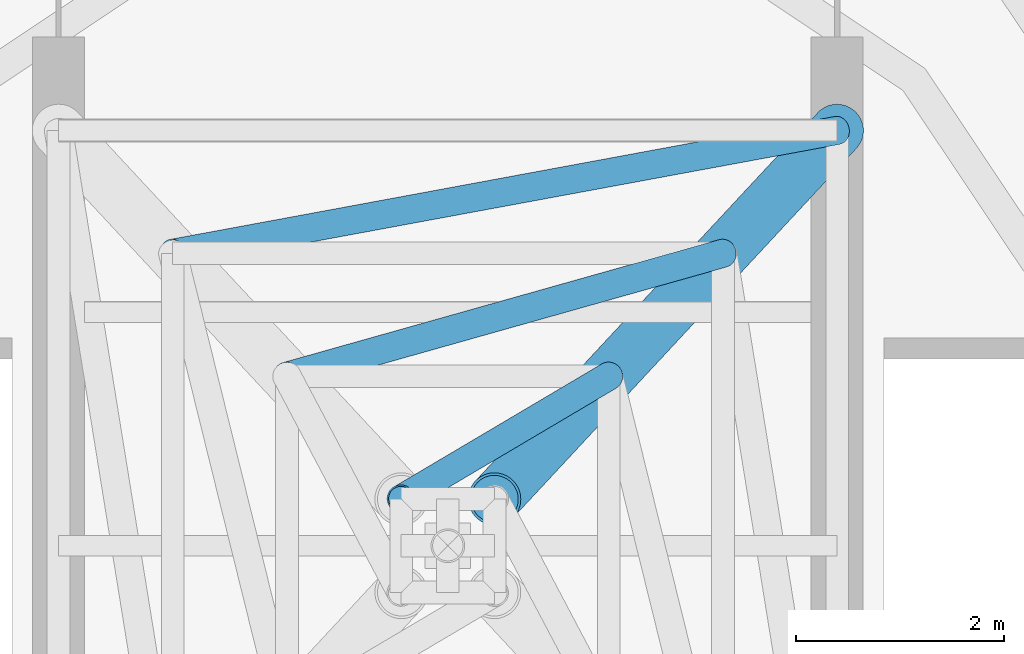
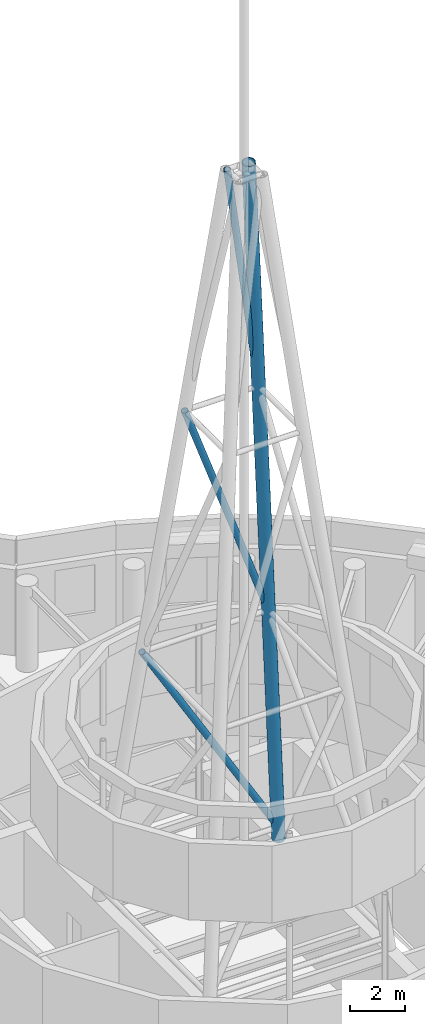
# One storey, part 8 of 17: 4 members.
"""IFC4 building model written with IfcOpenShell, lengths in metres."""

from ifc_helpers import new_model, si_unit, direction, frame, origin, origin_2d, place, context, subcontext, project, spatial, hollow_circle, extrude, material, material_profile, profile_set, type_object, element, save


model = new_model("IFC4")

# Units and contexts
model_context = context("Model", 3, precision=1e-05, world=origin(), true_north=direction((0.0, 1.0)))
body_context = subcontext(model_context, "Body", "Model", "MODEL_VIEW")
ifc_project = project(units=[si_unit("LENGTHUNIT", "METRE"), si_unit("AREAUNIT", "SQUARE_METRE"), si_unit("VOLUMEUNIT", "CUBIC_METRE"), si_unit("PLANEANGLEUNIT", "RADIAN"), si_unit("MASSUNIT", "GRAM", prefix="KILO")], contexts=[model_context])

# Site, building, storey
site_placement = place(None, origin())
site = spatial("IfcSite", under=ifc_project, at=site_placement, CompositionType="ELEMENT")
building_placement = place(site_placement, origin())
building = spatial("IfcBuilding", under=site, at=building_placement, Name="Tamarind Cross Interchange Tower", CompositionType="ELEMENT")
storey_placement = place(building_placement, frame((0.0, 0.0, 325.39990234375)))
storey = spatial("IfcBuildingStorey", under=building, at=storey_placement, Name="L80", CompositionType="ELEMENT", Elevation=325.39990234375)

# Members
ifc_material = material(Name="Steel Q355B", Category="steel")
ifc_material_profile_1 = material_profile(ifc_material, hollow_circle(Radius=0.136474609375, WallThickness=0.013916015625, at=origin_2d()), Name="CHS 273x14")
ifc_profile_set_1 = profile_set([ifc_material_profile_1], Name="Steel Q355B")
member_type_1 = type_object("IfcMemberType", Name="Spire brace CHS 273x14 Q355B", PredefinedType="BRACE", material=ifc_profile_set_1)
member_1_placement = place(storey_placement, frame((3.75, 4.0, 4.300048828125), z_axis=(-0.511015207739, -0.094487324022, 0.854362688241), x_axis=(0.181819258556, -0.983331966946, 0.0)))
element("IfcMember", 1, at=member_1_placement, inside=storey, type_object=member_type_1, Name="Spire brace 21", PredefinedType="BRACE", context=body_context, shape_type="SweptSolid", body=[
    extrude(hollow_circle(Radius=0.136474609375, WallThickness=0.013916015625, at=origin_2d()), origin(), (0.0, 0.0, 1.0), 12.52392578125),
])
member_2_placement = place(storey_placement, frame((2.64990234375, 2.816650390625, 15.0), z_axis=(-0.354910081386, -0.099997044962, 0.929537210191), x_axis=(0.271194370507, -0.962524604052, 0.0)))
element("IfcMember", 2, at=member_2_placement, inside=storey, type_object=member_type_1, Name="Spire brace 25", PredefinedType="BRACE", context=body_context, shape_type="SweptSolid", body=[
    extrude(hollow_circle(Radius=0.136474609375, WallThickness=0.013916015625, at=origin_2d()), origin(), (0.0, 0.0, 1.0), 11.833740234375),
])
member_3_placement = place(storey_placement, frame((1.550048828125, 1.63330078125, 26.0), z_axis=(-0.177891794167, -0.105254092569, 0.978404867918), x_axis=(0.509217679041, -0.860637760822, 0.0)))
element("IfcMember", 3, at=member_3_placement, inside=storey, type_object=member_type_1, Name="Spire brace 29", PredefinedType="BRACE", context=body_context, shape_type="SweptSolid", body=[
    extrude(hollow_circle(Radius=0.136474609375, WallThickness=0.013916015625, at=origin_2d()), origin(), (0.0, 0.0, 1.0), 11.24267578125),
])
ifc_material_profile_2 = material_profile(ifc_material, hollow_circle(Radius=0.25390625, WallThickness=0.02490234375, at=origin_2d()), Name="CHS 508x25")
ifc_profile_set_2 = profile_set([ifc_material_profile_2], Name="Steel Q355B")
member_type_2 = type_object("IfcMemberType", Name="Spire leg CHS 508x25 Q355B", PredefinedType="POST", material=ifc_profile_set_2)
member_4_placement = place(storey_placement, frame((3.75, 4.0, 3.800048828125), z_axis=(-0.098356543925, -0.105807687002, 0.989510345392), x_axis=(0.732425616883, -0.68084705752, 0.0)))
element("IfcMember", 4, at=member_4_placement, inside=storey, type_object=member_type_2, Name="Spire leg 1", PredefinedType="POST", context=body_context, shape_type="SweptSolid", body=[
    extrude(hollow_circle(Radius=0.25390625, WallThickness=0.02490234375, at=origin_2d()), origin(), (0.0, 0.0, 1.0), 33.552001953125),
])

save(model, "model.ifc")
